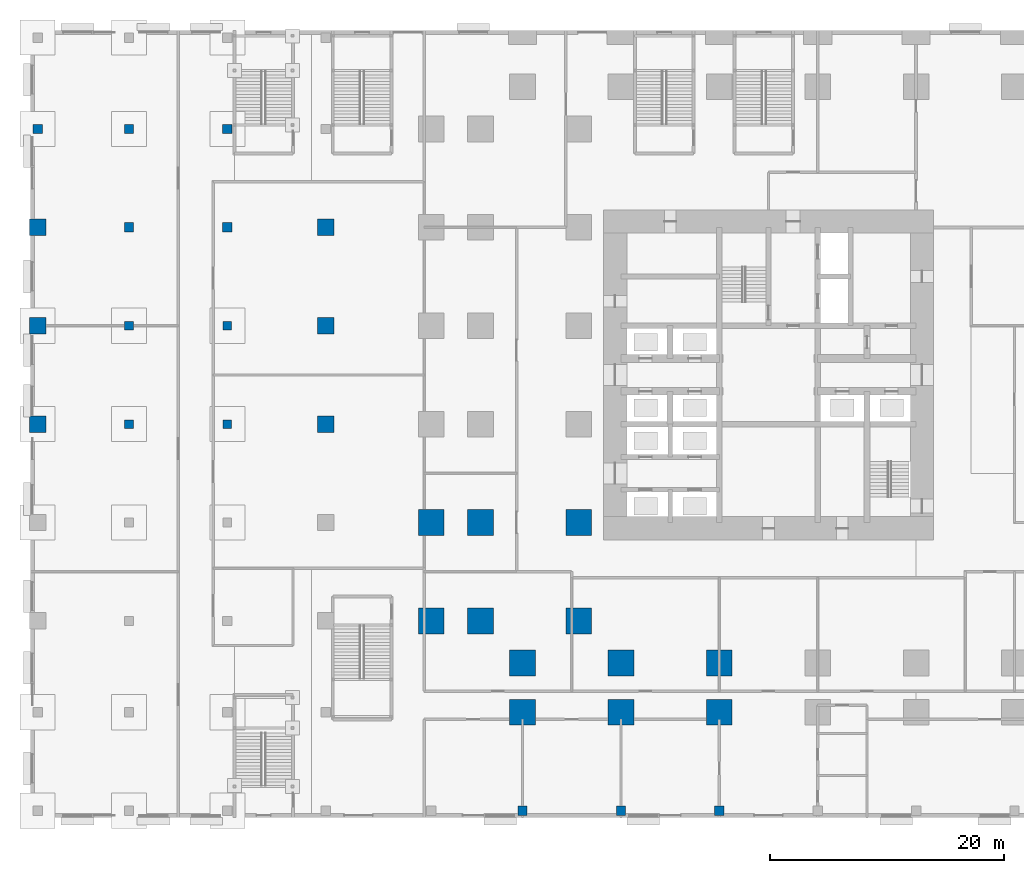
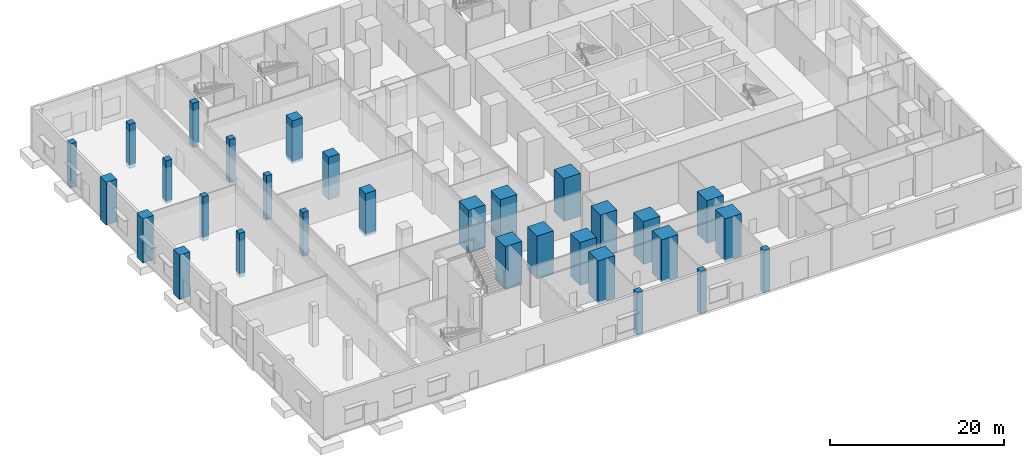
# One storey, part 5 of 26: 30 columns.
"""IFC4 building model written with IfcOpenShell, lengths in metres."""

import ifcopenshell
import ifcopenshell.guid

model = None  # the IFC model being written
_history = None  # IfcOwnerHistory: only IFC2X3 demands one
_inside = {}  # id of a spatial element -> (the spatial element, [elements in it])
_under = {}  # id of a project, library or spatial element -> (it, [spatial elements below it])
_declared = {}  # id of a project -> (the project, [libraries it declares])
_typed = {}  # id of a type object -> (the type object, [elements of that type])
_made_of = {}  # id of a material, layer set ... -> (it, [elements and type objects made of it])


def new_model(schema):
    """Start an empty IFC model of exactly this schema.

    Asked for "IFC4X3", IfcOpenShell would pick the latest addendum, in which some entities
    have other attributes; the version numbers below select the first issue.
    IFC2X3 requires an IfcOwnerHistory on every rooted entity: one is made here for all.
    """
    global model, _history
    if schema == "IFC4X3":
        model = ifcopenshell.file(schema_version=(4, 3, 0, 0))
    else:
        model = ifcopenshell.file(schema=schema)
    _inside.clear()
    _under.clear()
    _declared.clear()
    _typed.clear()
    _made_of.clear()
    _history = None
    if model.schema == "IFC2X3":
        org = make("IfcOrganization", Name="unknown")
        user = make(
            "IfcPersonAndOrganization",
            ThePerson=make("IfcPerson", FamilyName="unknown"),
            TheOrganization=org,
        )
        app = make(
            "IfcApplication",
            ApplicationDeveloper=org,
            Version="unknown",
            ApplicationFullName="unknown",
            ApplicationIdentifier="unknown",
        )
        _history = make(
            "IfcOwnerHistory",
            OwningUser=user,
            OwningApplication=app,
            ChangeAction="ADDED",
            CreationDate=0,
        )
    return model


def make(cls, **values):
    """One entity of the class cls with the attributes given. An attribute that is None is left unset."""
    return model.create_entity(
        cls, **{name: value for name, value in values.items() if value is not None}
    )


def rooted(cls, **values):
    """An entity with a GlobalId (a new one), such as an element, a storey or a relation."""
    return make(cls, GlobalId=ifcopenshell.guid.new(), OwnerHistory=_history, **values)


def si_unit(unit_type, name, prefix=None):
    """IfcSIUnit, for example si_unit("LENGTHUNIT", "METRE", prefix="MILLI")."""
    return make("IfcSIUnit", UnitType=unit_type, Prefix=prefix, Name=name)


def assignment(units):
    """IfcUnitAssignment: the units of a project."""
    return None if units is None else make("IfcUnitAssignment", Units=units)


def point(xyz):
    """IfcCartesianPoint."""
    return None if xyz is None else make("IfcCartesianPoint", Coordinates=xyz)


def direction(xyz):
    """IfcDirection."""
    return None if xyz is None else make("IfcDirection", DirectionRatios=xyz)


def frame(location, z_axis=None, x_axis=None):
    """IfcAxis2Placement3D, a coordinate frame: its origin and axes. An axis left out is left unset."""
    return make(
        "IfcAxis2Placement3D",
        Location=point(location),
        Axis=direction(z_axis),
        RefDirection=direction(x_axis),
    )


def frame_2d(location, x_axis=None):
    """IfcAxis2Placement2D, a coordinate frame in the plane: its origin and x axis."""
    return make(
        "IfcAxis2Placement2D", Location=point(location), RefDirection=direction(x_axis)
    )


def origin():
    """The frame at (0, 0, 0) with its axes left unset."""
    return frame((0.0, 0.0, 0.0))


def origin_2d():
    """The frame at (0, 0) in the plane with its x axis left unset."""
    return frame_2d((0.0, 0.0))


def place(relative_to, where):
    """IfcLocalPlacement: puts the frame where relative to a parent placement (None: the world)."""
    return make(
        "IfcLocalPlacement", PlacementRelTo=relative_to, RelativePlacement=where
    )


def context(
    kind, dimensions, precision=None, world=None, true_north=None, identifier=None
):
    """IfcGeometricRepresentationContext, for example the 3D "Model" context."""
    return make(
        "IfcGeometricRepresentationContext",
        ContextIdentifier=identifier,
        ContextType=kind,
        CoordinateSpaceDimension=dimensions,
        Precision=precision,
        WorldCoordinateSystem=world,
        TrueNorth=true_north,
    )


def subcontext(parent, identifier, kind, view, scale=None):
    """IfcGeometricRepresentationSubContext, for example "Body" below "Model"."""
    return make(
        "IfcGeometricRepresentationSubContext",
        ContextIdentifier=identifier,
        ContextType=kind,
        ParentContext=parent,
        TargetScale=scale,
        TargetView=view,
    )


def project(units=None, contexts=None):
    """IfcProject with its units and contexts."""
    return rooted(
        "IfcProject",
        Name="project",
        RepresentationContexts=contexts,
        UnitsInContext=assignment(units),
    )


def spatial(cls, under=None, at=None, **own):
    """A site, building, storey or space (cls), placed at a placement, below another one or the project."""
    s = rooted(cls, ObjectPlacement=at, **own)
    if under is not None:
        _under.setdefault(under.id(), (under, []))[1].append(s)
    return s


def profile(cls, at=None, kind="AREA", **sizes):
    """A parametric profile (cls). Its sizes go by their IFC names, for example OverallWidth=200.0."""
    return make(cls, ProfileType=kind, Position=at, **sizes)


def rectangle(**sizes):
    """IfcRectangleProfileDef."""
    return profile("IfcRectangleProfileDef", **sizes)


def extrude(swept, where, along, depth):
    """IfcExtrudedAreaSolid: the profile swept, set in the frame where, extruded along a direction by depth."""
    return make(
        "IfcExtrudedAreaSolid",
        SweptArea=swept,
        Position=where,
        ExtrudedDirection=direction(along),
        Depth=depth,
    )


def shape(context_of_items, identifier, shape_type, items):
    """IfcShapeRepresentation: the items that make up one representation, for example the "Body"."""
    return make(
        "IfcShapeRepresentation",
        ContextOfItems=context_of_items,
        RepresentationIdentifier=identifier,
        RepresentationType=shape_type,
        Items=items,
    )


def material(Name=None, Category=None):
    """IfcMaterial."""
    return make("IfcMaterial", Name=Name, Category=Category)


def material_profile(
    of_material, cross_section, Name=None, Category=None, Priority=None
):
    """IfcMaterialProfile: a cross section and its material."""
    return make(
        "IfcMaterialProfile",
        Name=Name,
        Material=of_material,
        Profile=cross_section,
        Priority=Priority,
        Category=Category,
    )


def profile_set(profiles, Name=None, composite=None):
    """IfcMaterialProfileSet."""
    return make(
        "IfcMaterialProfileSet",
        Name=Name,
        MaterialProfiles=profiles,
        CompositeProfile=composite,
    )


def made_of(thing, what):
    """Note that an element or type object is made of a material, layer set ...; save() writes the relation."""
    if what is not None:
        _made_of.setdefault(what.id(), (what, []))[1].append(thing)
    return thing


def type_object(cls, material=None, **own):
    """A type object (cls), such as IfcWallType, which elements share."""
    return made_of(rooted(cls, **own), material)


def element(
    cls,
    number,
    at=None,
    inside=None,
    cuts=None,
    type_object=None,
    material=None,
    context=None,
    identifier="Body",
    shape_type=None,
    held_by="IfcProductDefinitionShape",
    body=None,
    shapes=None,
    **own,
):
    """One element of the class cls, such as IfcWall. Its Tag is "e" and its number.

    at: its placement. inside: the storey or other place that contains it. cuts: it is an
    opening in that element (IfcRelVoidsElement). A single representation is given by context,
    identifier, shape_type and body (its items); several are given by shapes. held_by: the class
    of the entity that holds the representations. save() writes the other relations.
    """
    e = rooted(cls, Tag="e%d" % number, ObjectPlacement=at, **own)
    if body is not None:
        shapes = [shape(context, identifier, shape_type, body)]
    if shapes is not None:
        e.Representation = make(held_by, Representations=shapes)
    if inside is not None:
        _inside.setdefault(inside.id(), (inside, []))[1].append(e)
    if cuts is not None:
        rooted(
            "IfcRelVoidsElement", RelatingBuildingElement=cuts, RelatedOpeningElement=e
        )
    if type_object is not None:
        _typed.setdefault(type_object.id(), (type_object, []))[1].append(e)
    return made_of(e, material)


def aggregate(whole, parts):
    """IfcRelAggregates: a whole, such as a stair, and the parts it consists of."""
    return rooted("IfcRelAggregates", RelatingObject=whole, RelatedObjects=parts)


def save(model, path):
    """Write the relations noted so far, then the file.

    IfcRelAggregates (storeys below a building ...), IfcRelContainedInSpatialStructure (elements
    in a storey), IfcRelDefinesByType, IfcRelAssociatesMaterial and IfcRelDeclares: one each for
    every whole, place, type object, material and project.
    """
    for whole, parts in _under.values():
        aggregate(whole, parts)
    for where, things in _inside.values():
        rooted(
            "IfcRelContainedInSpatialStructure",
            RelatedElements=things,
            RelatingStructure=where,
        )
    for kind, things in _typed.values():
        rooted("IfcRelDefinesByType", RelatedObjects=things, RelatingType=kind)
    for what, things in _made_of.values():
        rooted("IfcRelAssociatesMaterial", RelatedObjects=things, RelatingMaterial=what)
    for by, libraries in _declared.values():
        rooted("IfcRelDeclares", RelatingContext=by, RelatedDefinitions=libraries)
    model.write(path)


model = new_model("IFC4")

# Units and contexts
model_context = context("Model", 3, precision=1e-05, world=origin(), true_north=direction((0.0, 1.0)))
body_context = subcontext(model_context, "Body", "Model", "MODEL_VIEW")
ifc_project = project(units=[si_unit("LENGTHUNIT", "METRE"), si_unit("AREAUNIT", "SQUARE_METRE"), si_unit("VOLUMEUNIT", "CUBIC_METRE"), si_unit("PLANEANGLEUNIT", "RADIAN"), si_unit("MASSUNIT", "GRAM", prefix="KILO")], contexts=[model_context])

# Site, building, storey
site_placement = place(None, origin())
site = spatial("IfcSite", under=ifc_project, at=site_placement, CompositionType="ELEMENT")
building_placement = place(site_placement, origin())
building = spatial("IfcBuilding", under=site, at=building_placement, Name="Dunama Terrace Hotel", CompositionType="ELEMENT")
storey_placement = place(building_placement, origin())
storey = spatial("IfcBuildingStorey", under=building, at=storey_placement, Name="L00", CompositionType="ELEMENT", Elevation=0.0)

# Columns
ifc_material_1 = material(Name="Concrete C50/60", Category="concrete")
ifc_material_profile_1 = material_profile(ifc_material_1, rectangle(XDim=1.39990234375, YDim=1.39990234375, at=origin_2d()), Name="RC 1400x1400")
ifc_profile_set_1 = profile_set([ifc_material_profile_1], Name="Concrete C50/60")
column_type_1 = type_object("IfcColumnType", Name="Column RC 1400x1400", PredefinedType="COLUMN", material=ifc_profile_set_1)
for number, where, z_axis, x_axis, name in (
    (1, (-33.0, 25.199951171875, -0.5), (0.0, 0.0, 1.0), (1.0, 0.0, 0.0), "Column L00 -33.0/+25.2"),
    (2, (-33.0, 33.60009765625, -0.5), (0.0, 0.0, 1.0), (1.0, 0.0, 0.0), "Column L00 -33.0/+33.6"),
):
    element("IfcColumn", number, at=place(storey_placement, frame(where, z_axis=z_axis, x_axis=x_axis)), inside=storey, type_object=column_type_1, Name=name, PredefinedType="COLUMN", context=body_context, shape_type="SweptSolid", body=[
        extrude(rectangle(XDim=1.39990234375, YDim=1.39990234375, at=origin_2d()), origin(), (0.0, 0.0, 1.0), 6.199951171875),
    ])
for number, where, z_axis, x_axis, name in (
    (3, (-33.0, 42.0, -0.300048828125), (0.0, 0.0, 1.0), (1.0, 0.0, 0.0), "Column L00 -33.0/+42.0"),
    (4, (-8.39990234375, 25.199951171875, -0.300048828125), (0.0, 0.0, 1.0), (1.0, 0.0, 0.0), "Column L00 -8.4/+25.2"),
    (5, (-8.39990234375, 33.60009765625, -0.300048828125), (0.0, 0.0, 1.0), (1.0, 0.0, 0.0), "Column L00 -8.4/+33.6"),
    (6, (-8.39990234375, 42.0, -0.300048828125), (0.0, 0.0, 1.0), (1.0, 0.0, 0.0), "Column L00 -8.4/+42.0"),
):
    element("IfcColumn", number, at=place(storey_placement, frame(where, z_axis=z_axis, x_axis=x_axis)), inside=storey, type_object=column_type_1, Name=name, PredefinedType="COLUMN", context=body_context, shape_type="SweptSolid", body=[
        extrude(rectangle(XDim=1.39990234375, YDim=1.39990234375, at=origin_2d()), origin(), (0.0, 0.0, 1.0), 6.0),
    ])
ifc_material_2 = material(Name="Concrete C60/75", Category="concrete")
ifc_material_profile_2 = material_profile(ifc_material_2, rectangle(XDim=2.199951171875, YDim=2.199951171875, at=origin_2d()), Name="RC 2200x2200")
ifc_profile_set_2 = profile_set([ifc_material_profile_2], Name="Concrete C60/75")
column_type_2 = type_object("IfcColumnType", Name="Column RC 2200x2200", PredefinedType="COLUMN", material=ifc_profile_set_2)
for number, where, z_axis, x_axis, name in (
    (7, (0.60009765625, 8.39990234375, -0.300048828125), (0.0, 0.0, 1.0), (1.0, 0.0, 0.0), "Column L00 +0.6/+8.4"),
    (8, (0.60009765625, 16.800048828125, -0.300048828125), (0.0, 0.0, 1.0), (1.0, 0.0, 0.0), "Column L00 +0.6/+16.8"),
    (9, (4.800048828125, 8.39990234375, -0.300048828125), (0.0, 0.0, 1.0), (1.0, 0.0, 0.0), "Column L00 +4.8/+8.4"),
    (10, (4.800048828125, 16.800048828125, -0.300048828125), (0.0, 0.0, 1.0), (1.0, 0.0, 0.0), "Column L00 +4.8/+16.8"),
    (11, (8.39990234375, 0.60009765625, -0.300048828125), (0.0, 0.0, 1.0), (1.0, 0.0, 0.0), "Column L00 +8.4/+0.6"),
    (12, (8.39990234375, 4.800048828125, -0.300048828125), (0.0, 0.0, 1.0), (1.0, 0.0, 0.0), "Column L00 +8.4/+4.8"),
    (13, (13.199951171875, 8.39990234375, -0.300048828125), (0.0, 0.0, 1.0), (1.0, 0.0, 0.0), "Column L00 +13.2/+8.4"),
    (14, (13.199951171875, 16.800048828125, -0.300048828125), (0.0, 0.0, 1.0), (1.0, 0.0, 0.0), "Column L00 +13.2/+16.8"),
    (15, (16.800048828125, 0.60009765625, -0.300048828125), (0.0, 0.0, 1.0), (1.0, 0.0, 0.0), "Column L00 +16.8/+0.6"),
    (16, (16.800048828125, 4.800048828125, -0.300048828125), (0.0, 0.0, 1.0), (1.0, 0.0, 0.0), "Column L00 +16.8/+4.8"),
    (17, (25.199951171875, 0.60009765625, -0.300048828125), (0.0, 0.0, 1.0), (1.0, 0.0, 0.0), "Column L00 +25.2/+0.6"),
    (18, (25.199951171875, 4.800048828125, -0.300048828125), (0.0, 0.0, 1.0), (1.0, 0.0, 0.0), "Column L00 +25.2/+4.8"),
):
    element("IfcColumn", number, at=place(storey_placement, frame(where, z_axis=z_axis, x_axis=x_axis)), inside=storey, type_object=column_type_2, Name=name, PredefinedType="COLUMN", context=body_context, shape_type="SweptSolid", body=[
        extrude(rectangle(XDim=2.199951171875, YDim=2.199951171875, at=origin_2d()), origin(), (0.0, 0.0, 1.0), 6.0),
    ])
ifc_material_3 = material(Name="Concrete C40/50", Category="concrete")
ifc_material_profile_3 = material_profile(ifc_material_3, rectangle(XDim=0.75, YDim=0.75, at=origin_2d()), Name="RC 750x750")
ifc_profile_set_3 = profile_set([ifc_material_profile_3], Name="Concrete C40/50")
column_type_3 = type_object("IfcColumnType", Name="Column RC 750x750", PredefinedType="COLUMN", material=ifc_profile_set_3)
for number, where, z_axis, x_axis, name in (
    (19, (-25.199951171875, 25.199951171875, -0.5), (0.0, 0.0, 1.0), (1.0, 0.0, 0.0), "Column L00 -25.2/+25.2"),
    (20, (-25.199951171875, 33.60009765625, -0.5), (0.0, 0.0, 1.0), (1.0, 0.0, 0.0), "Column L00 -25.2/+33.6"),
    (21, (-16.800048828125, 25.199951171875, -0.5), (0.0, 0.0, 1.0), (1.0, 0.0, 0.0), "Column L00 -16.8/+25.2"),
    (22, (-16.800048828125, 33.60009765625, -0.5), (0.0, 0.0, 1.0), (1.0, 0.0, 0.0), "Column L00 -16.8/+33.6"),
):
    element("IfcColumn", number, at=place(storey_placement, frame(where, z_axis=z_axis, x_axis=x_axis)), inside=storey, type_object=column_type_3, Name=name, PredefinedType="COLUMN", context=body_context, shape_type="SweptSolid", body=[
        extrude(rectangle(XDim=0.75, YDim=0.75, at=origin_2d()), origin(), (0.0, 0.0, 1.0), 6.199951171875),
    ])
ifc_material_4 = material(Name="Concrete C40/50", Category="concrete")
ifc_material_profile_4 = material_profile(ifc_material_4, rectangle(XDim=0.800048828125, YDim=0.800048828125, at=origin_2d()), Name="RC 800x800")
ifc_profile_set_4 = profile_set([ifc_material_profile_4], Name="Concrete C40/50")
column_type_4 = type_object("IfcColumnType", Name="Column RC 800x800", PredefinedType="COLUMN", material=ifc_profile_set_4)
column_1_placement = place(storey_placement, frame((-33.0, 50.39990234375, -0.5), z_axis=(0.0, 0.0, 1.0), x_axis=(1.0, 0.0, 0.0)))
element("IfcColumn", 23, at=column_1_placement, inside=storey, type_object=column_type_4, Name="Column L00 -33.0/+50.4", PredefinedType="COLUMN", context=body_context, shape_type="SweptSolid", body=[
    extrude(rectangle(XDim=0.800048828125, YDim=0.800048828125, at=origin_2d()), origin(), (0.0, 0.0, 1.0), 6.199951171875),
])
column_2_placement = place(storey_placement, frame((-25.199951171875, 42.0, -0.300048828125), z_axis=(0.0, 0.0, 1.0), x_axis=(1.0, 0.0, 0.0)))
element("IfcColumn", 24, at=column_2_placement, inside=storey, type_object=column_type_4, Name="Column L00 -25.2/+42.0", PredefinedType="COLUMN", context=body_context, shape_type="SweptSolid", body=[
    extrude(rectangle(XDim=0.800048828125, YDim=0.800048828125, at=origin_2d()), origin(), (0.0, 0.0, 1.0), 6.0),
])
column_3_placement = place(storey_placement, frame((-25.199951171875, 50.39990234375, -0.5), z_axis=(0.0, 0.0, 1.0), x_axis=(1.0, 0.0, 0.0)))
element("IfcColumn", 25, at=column_3_placement, inside=storey, type_object=column_type_4, Name="Column L00 -25.2/+50.4", PredefinedType="COLUMN", context=body_context, shape_type="SweptSolid", body=[
    extrude(rectangle(XDim=0.800048828125, YDim=0.800048828125, at=origin_2d()), origin(), (0.0, 0.0, 1.0), 6.199951171875),
])
column_4_placement = place(storey_placement, frame((-16.800048828125, 42.0, -0.300048828125), z_axis=(0.0, 0.0, 1.0), x_axis=(1.0, 0.0, 0.0)))
element("IfcColumn", 26, at=column_4_placement, inside=storey, type_object=column_type_4, Name="Column L00 -16.8/+42.0", PredefinedType="COLUMN", context=body_context, shape_type="SweptSolid", body=[
    extrude(rectangle(XDim=0.800048828125, YDim=0.800048828125, at=origin_2d()), origin(), (0.0, 0.0, 1.0), 6.0),
])
column_5_placement = place(storey_placement, frame((-16.800048828125, 50.39990234375, -0.5), z_axis=(0.0, 0.0, 1.0), x_axis=(1.0, 0.0, 0.0)))
element("IfcColumn", 27, at=column_5_placement, inside=storey, type_object=column_type_4, Name="Column L00 -16.8/+50.4", PredefinedType="COLUMN", context=body_context, shape_type="SweptSolid", body=[
    extrude(rectangle(XDim=0.800048828125, YDim=0.800048828125, at=origin_2d()), origin(), (0.0, 0.0, 1.0), 6.199951171875),
])
for number, where, z_axis, x_axis, name in (
    (28, (8.39990234375, -7.800048828125, -0.300048828125), (0.0, 0.0, 1.0), (1.0, 0.0, 0.0), "Column L00 +8.4/-7.8"),
    (29, (16.800048828125, -7.800048828125, -0.300048828125), (0.0, 0.0, 1.0), (1.0, 0.0, 0.0), "Column L00 +16.8/-7.8"),
    (30, (25.199951171875, -7.800048828125, -0.300048828125), (0.0, 0.0, 1.0), (1.0, 0.0, 0.0), "Column L00 +25.2/-7.8"),
):
    element("IfcColumn", number, at=place(storey_placement, frame(where, z_axis=z_axis, x_axis=x_axis)), inside=storey, type_object=column_type_4, Name=name, PredefinedType="COLUMN", context=body_context, shape_type="SweptSolid", body=[
        extrude(rectangle(XDim=0.800048828125, YDim=0.800048828125, at=origin_2d()), origin(), (0.0, 0.0, 1.0), 6.0),
    ])

save(model, "model.ifc")
